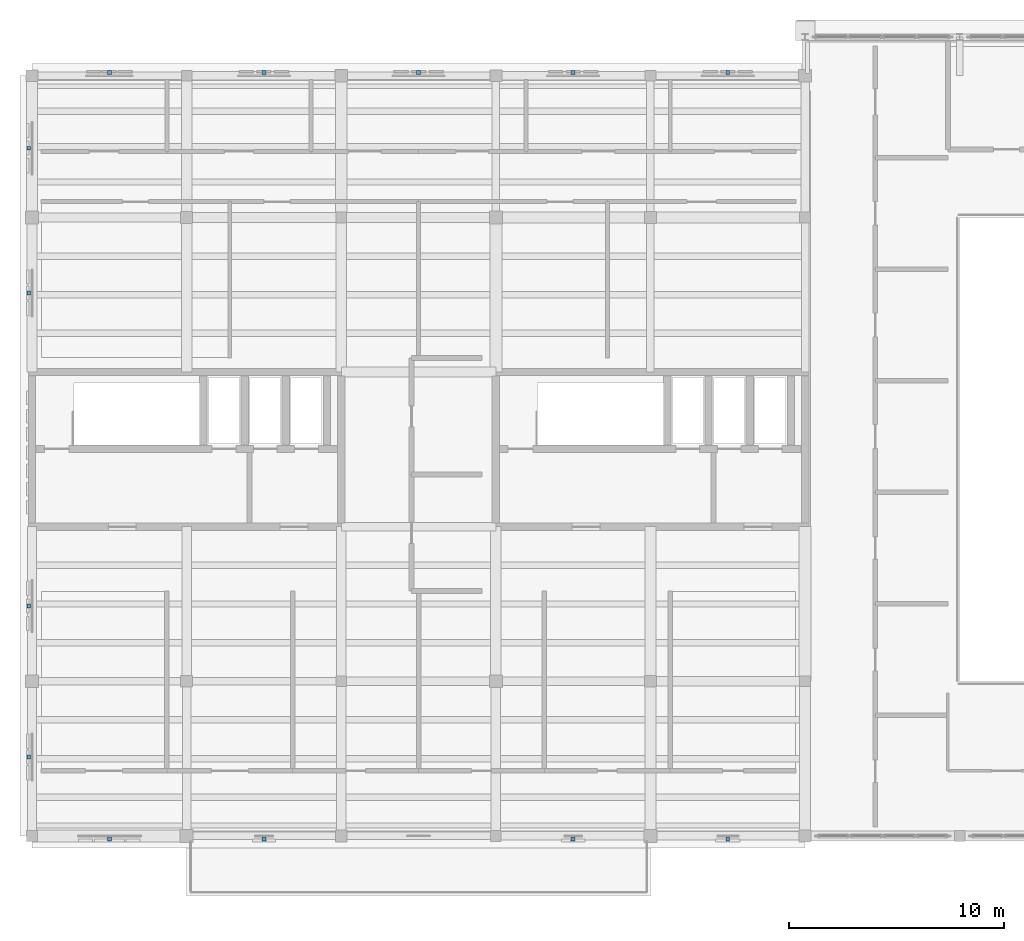
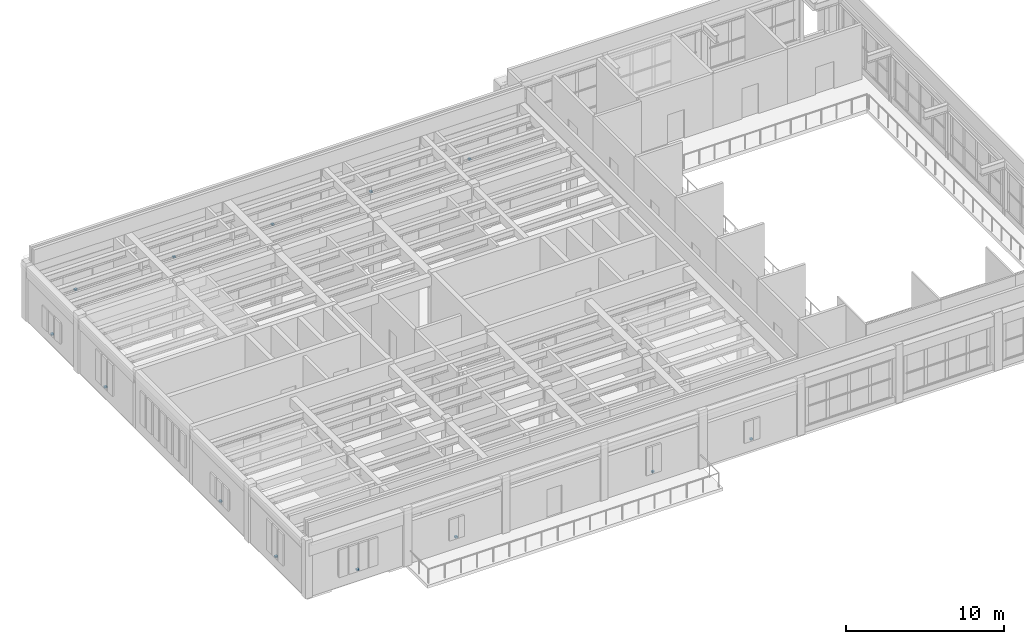
# One storey, part 17 of 18: 13 discrete accessories.
"""IFC4 building model written with IfcOpenShell, lengths in metres."""

from ifc_helpers import new_model, si_unit, direction, frame, origin, origin_2d, place, context, subcontext, project, spatial, rectangle, extrude, material, type_object, element, save


model = new_model("IFC4")

# Units and contexts
model_context = context("Model", 3, precision=1e-05, world=origin(), true_north=direction((0.0, 1.0)))
body_context = subcontext(model_context, "Body", "Model", "MODEL_VIEW")
ifc_project = project(units=[si_unit("LENGTHUNIT", "METRE"), si_unit("AREAUNIT", "SQUARE_METRE"), si_unit("VOLUMEUNIT", "CUBIC_METRE"), si_unit("PLANEANGLEUNIT", "RADIAN"), si_unit("MASSUNIT", "GRAM", prefix="KILO")], contexts=[model_context])

# Site, building, storey
site_placement = place(None, origin())
site = spatial("IfcSite", under=ifc_project, at=site_placement, CompositionType="ELEMENT")
building_placement = place(site_placement, origin())
building = spatial("IfcBuilding", under=site, at=building_placement, Name="Mithqara Police Headquarters", CompositionType="ELEMENT")
storey_placement = place(building_placement, frame((0.0, 0.0, 30.89990234375)))
storey = spatial("IfcBuildingStorey", under=building, at=storey_placement, Name="L07", CompositionType="ELEMENT", Elevation=30.89990234375)

# Discrete accessories
ifc_material = material(Name="Steel S355JR", Category="steel")
discrete_accessory_type = type_object("IfcDiscreteAccessoryType", Name="SCREEN BRACKET SS", PredefinedType="BRACKET", material=ifc_material)
for number, where, z_axis, x_axis, name in (
    (1, (112.199951171875, 78.449951171875, 0.85009765625), (0.0, 0.0, 1.0), (1.0, 0.0, 0.0), "L07 Stone Screen Support Bracket 1.1"),
    (2, (119.39990234375, 78.449951171875, 0.85009765625), (0.0, 0.0, 1.0), (1.0, 0.0, 0.0), "L07 Stone Screen Support Bracket 1.2"),
    (3, (133.800048828125, 78.449951171875, 0.85009765625), (0.0, 0.0, 1.0), (1.0, 0.0, 0.0), "L07 Stone Screen Support Bracket 1.4"),
    (4, (141.0, 78.449951171875, 0.85009765625), (0.0, 0.0, 1.0), (1.0, 0.0, 0.0), "L07 Stone Screen Support Bracket 1.5"),
    (5, (112.199951171875, 114.14990234375, 0.85009765625), (0.0, 0.0, 1.0), (1.0, 0.0, 0.0), "L07 Stone Screen Support Bracket 6.1"),
    (6, (119.39990234375, 114.14990234375, 0.85009765625), (0.0, 0.0, 1.0), (1.0, 0.0, 0.0), "L07 Stone Screen Support Bracket 6.2"),
    (7, (126.60009765625, 114.14990234375, 0.85009765625), (0.0, 0.0, 1.0), (1.0, 0.0, 0.0), "L07 Stone Screen Support Bracket 6.3"),
    (8, (133.800048828125, 114.14990234375, 0.85009765625), (0.0, 0.0, 1.0), (1.0, 0.0, 0.0), "L07 Stone Screen Support Bracket 6.4"),
    (9, (141.0, 114.14990234375, 0.85009765625), (0.0, 0.0, 1.0), (1.0, 0.0, 0.0), "L07 Stone Screen Support Bracket 6.5"),
    (10, (108.449951171875, 103.885009765625, 0.85009765625), (0.0, 0.0, 1.0), (0.0, 1.0, 0.0), "L07 Stone Screen Support Bracket 7.1"),
    (11, (108.449951171875, 110.625, 0.85009765625), (0.0, 0.0, 1.0), (0.0, 1.0, 0.0), "L07 Stone Screen Support Bracket 7.2"),
    (12, (108.449951171875, 82.27490234375, 0.85009765625), (0.0, 0.0, 1.0), (0.0, 1.0, 0.0), "L07 Stone Screen Support Bracket 7.1"),
    (13, (108.449951171875, 89.31494140625, 0.85009765625), (0.0, 0.0, 1.0), (0.0, 1.0, 0.0), "L07 Stone Screen Support Bracket 7.2"),
):
    element("IfcDiscreteAccessory", number, at=place(storey_placement, frame(where, z_axis=z_axis, x_axis=x_axis)), inside=storey, type_object=discrete_accessory_type, Name=name, PredefinedType="BRACKET", context=body_context, shape_type="SweptSolid", body=[
        extrude(rectangle(XDim=0.179931640625, YDim=0.179931640625, at=origin_2d()), origin(), (0.0, 0.0, 1.0), 0.1201171875),
    ])

save(model, "model.ifc")
